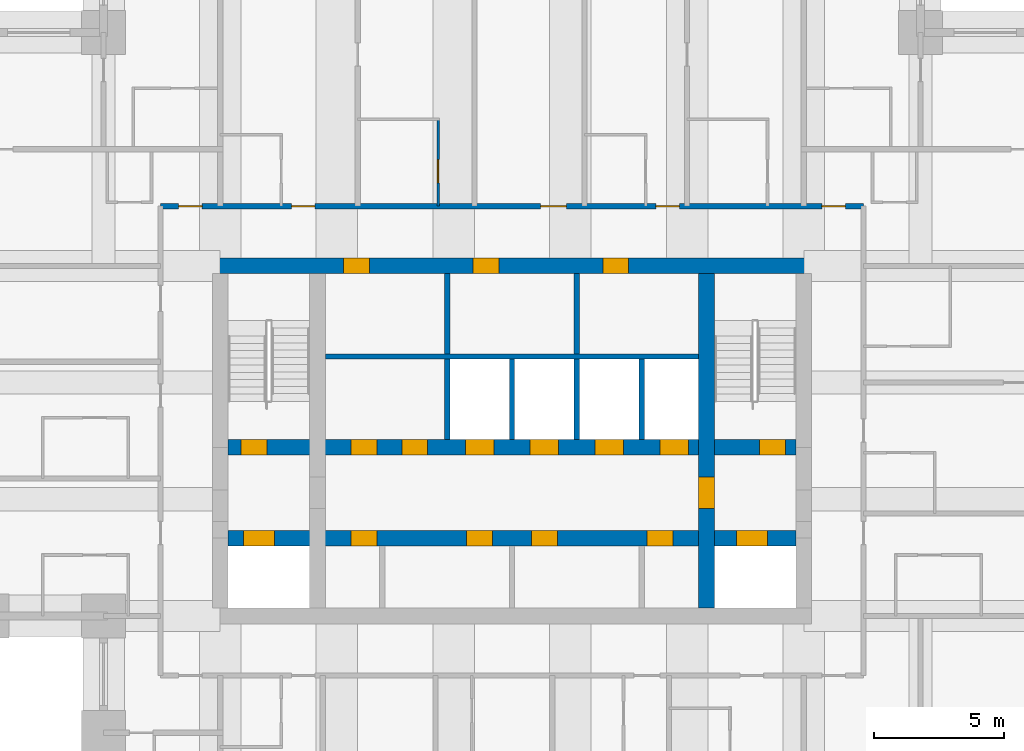
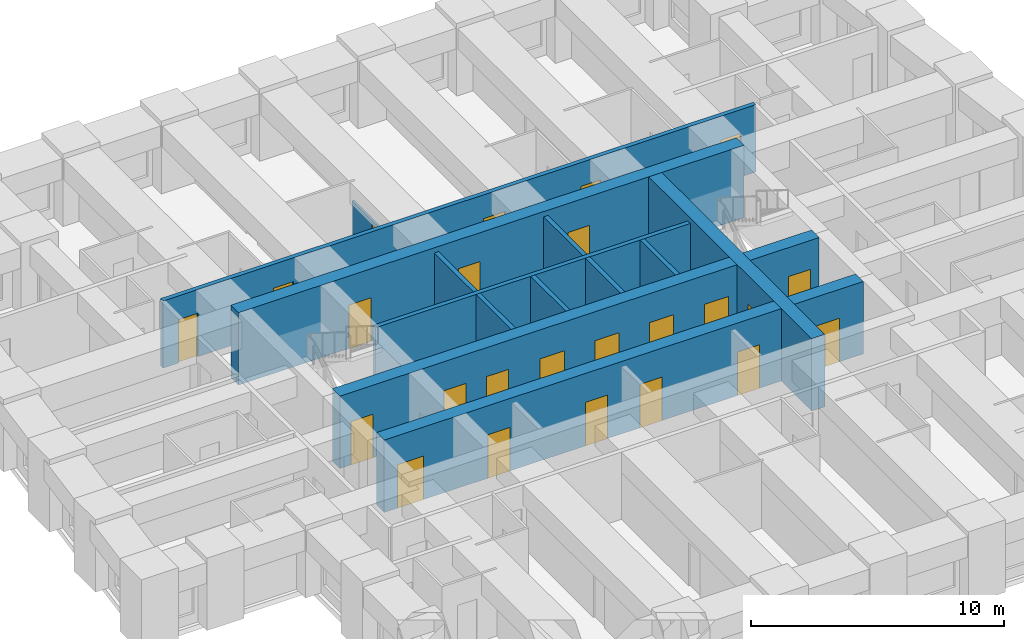
# One storey, part 4 of 8: 24 doors, 13 walls, 24 openings.
"""IFC4 building model written with IfcOpenShell, lengths in metres."""

from ifc_helpers import new_model, si_unit, direction, frame, frame_2d, origin, place, context, subcontext, project, spatial, rectangle, extrude, material, layer, layer_set, type_object, element, fill, save


model = new_model("IFC4")

# Units and contexts
model_context = context("Model", 3, precision=1e-05, world=origin(), true_north=direction((0.0, 1.0)))
body_context = subcontext(model_context, "Body", "Model", "MODEL_VIEW")
ifc_project = project(units=[si_unit("LENGTHUNIT", "METRE"), si_unit("AREAUNIT", "SQUARE_METRE"), si_unit("VOLUMEUNIT", "CUBIC_METRE"), si_unit("PLANEANGLEUNIT", "RADIAN"), si_unit("MASSUNIT", "GRAM", prefix="KILO")], contexts=[model_context])

# Site, building, storey
site_placement = place(None, origin())
site = spatial("IfcSite", under=ifc_project, at=site_placement, CompositionType="ELEMENT")
building_placement = place(site_placement, origin())
building = spatial("IfcBuilding", under=site, at=building_placement, Name="Kilele Tower Hotel", CompositionType="ELEMENT")
storey_placement = place(building_placement, frame((0.0, 0.0, 193.89990234375)))
storey = spatial("IfcBuildingStorey", under=building, at=storey_placement, Name="L50", CompositionType="ELEMENT", Elevation=193.89990234375)

# Wall, opening, door
ifc_material_1 = material(Name="Moisture-resistant board")
ifc_layer_1 = layer(ifc_material_1, 0.10009765625)
ifc_layer_set_1 = layer_set([ifc_layer_1], Name="Moisture-resistant board")
wall_type_1 = type_object("IfcWallType", Name="Bathroom partition 100", PredefinedType="PLUMBINGWALL", material=ifc_layer_set_1)
wall_1_placement = place(storey_placement, frame((21.89990234375, 29.300048828125, 0.0), z_axis=(0.0, 0.0, 1.0), x_axis=(0.0, 1.0, 0.0)))
wall_1 = element("IfcWall", 1, at=wall_1_placement, inside=storey, type_object=wall_type_1, Name="Bathroom partition 100 L50", PredefinedType="PLUMBINGWALL", context=body_context, shape_type="SweptSolid", body=[
    extrude(rectangle(XDim=3.39990234375, YDim=0.10009765625, at=frame_2d((1.699951171875, 0.0))), origin(), (0.0, 0.0, 1.0), 2.25),
])
opening_1_placement = place(wall_1_placement, frame((1.7998046875, 0.0, 0.0), z_axis=(0.0, 0.0, 1.0), x_axis=(-1.0, 0.0, 0.0)))
opening_1 = element("IfcOpeningElement", 2, at=opening_1_placement, cuts=wall_1, Name="Opening D2A", PredefinedType="OPENING", context=body_context, shape_type="SweptSolid", body=[
    extrude(rectangle(XDim=0.89990234375, YDim=2.10009765625, at=frame_2d((0.449951171875, 1.050048828125))), frame((0.0, 0.06005859375, 0.0), z_axis=(0.0, -1.0, 0.0), x_axis=(1.0, 0.0, 0.0)), (0.0, 0.0, 1.0), 0.1201171875),
])
ifc_material_2 = material(Name="Timber door leaf in hardwood frame", Category="wood")
door_type_1 = type_object("IfcDoorType", Name="Bathroom door 900", OperationType="SINGLE_SWING_LEFT", PredefinedType="DOOR", material=ifc_material_2)
door_1_placement = place(opening_1_placement, origin())
door_1 = element("IfcDoor", 3, at=door_1_placement, inside=storey, type_object=door_type_1, Name="Bathroom door 5010B", OperationType="SINGLE_SWING_RIGHT", OverallHeight=2.10009765625, OverallWidth=0.89990234375, PredefinedType="DOOR", context=body_context, shape_type="SweptSolid", body=[
    extrude(rectangle(XDim=0.89990234375, YDim=2.10009765625, at=frame_2d((0.449951171875, 1.050048828125))), frame((0.0, 0.02490234375, 0.0), z_axis=(0.0, -1.0, 0.0), x_axis=(1.0, 0.0, 0.0)), (0.0, 0.0, 1.0), 0.050048828125),
])
fill(opening_1, door_1)

# Wall, openings, doors
ifc_material_3 = material(Name="Concrete C70/85", Category="concrete")
ifc_layer_2 = layer(ifc_material_3, 0.60009765625)
ifc_layer_set_2 = layer_set([ifc_layer_2], Name="Concrete C70/85")
wall_type_2 = type_object("IfcWallType", Name="Core wall 600 C70/85", PredefinedType="SHEAR", material=ifc_layer_set_2)
wall_2_placement = place(storey_placement, frame((36.300048828125, 27.0, 0.0), z_axis=(0.0, 0.0, 1.0), x_axis=(-1.0, 0.0, 0.0)))
wall_2 = element("IfcWall", 4, at=wall_2_placement, inside=storey, type_object=wall_type_2, Name="Core wall N L50", PredefinedType="SHEAR", context=body_context, shape_type="SweptSolid", body=[
    extrude(rectangle(XDim=23.10009765625, YDim=0.60009765625, at=frame_2d((11.550048828125, 0.0))), origin(), (0.0, 0.0, 1.0), 3.5),
])
opening_2_placement = place(wall_2_placement, frame((17.050048828125, 0.0, 0.0)))
opening_2 = element("IfcOpeningElement", 5, at=opening_2_placement, cuts=wall_2, Name="Opening D6", PredefinedType="OPENING", context=body_context, shape_type="SweptSolid", body=[
    extrude(rectangle(XDim=1.0, YDim=2.10009765625, at=frame_2d((0.5, 1.050048828125))), frame((0.0, 0.31005859375, 0.0), z_axis=(0.0, -1.0, 0.0), x_axis=(1.0, 0.0, 0.0)), (0.0, 0.0, 1.0), 0.6201171875),
])
opening_3_placement = place(wall_2_placement, frame((12.050048828125, 0.0, 0.0)))
opening_3 = element("IfcOpeningElement", 6, at=opening_3_placement, cuts=wall_2, Name="Opening D6", PredefinedType="OPENING", context=body_context, shape_type="SweptSolid", body=[
    extrude(rectangle(XDim=1.0, YDim=2.10009765625, at=frame_2d((0.5, 1.050048828125))), frame((0.0, 0.31005859375, 0.0), z_axis=(0.0, -1.0, 0.0), x_axis=(1.0, 0.0, 0.0)), (0.0, 0.0, 1.0), 0.6201171875),
])
opening_4_placement = place(wall_2_placement, frame((7.050048828125, 0.0, 0.0)))
opening_4 = element("IfcOpeningElement", 7, at=opening_4_placement, cuts=wall_2, Name="Opening D6", PredefinedType="OPENING", context=body_context, shape_type="SweptSolid", body=[
    extrude(rectangle(XDim=1.0, YDim=2.10009765625, at=frame_2d((0.5, 1.050048828125))), frame((0.0, 0.31005859375, 0.0), z_axis=(0.0, -1.0, 0.0), x_axis=(1.0, 0.0, 0.0)), (0.0, 0.0, 1.0), 0.6201171875),
])
ifc_material_4 = material(Name="Timber door leaf in hardwood frame", Category="wood")
door_type_2 = type_object("IfcDoorType", Name="Riser door 1000", OperationType="SINGLE_SWING_LEFT", PredefinedType="DOOR", material=ifc_material_4)
door_2_placement = place(opening_2_placement, origin())
door_2 = element("IfcDoor", 8, at=door_2_placement, inside=storey, type_object=door_type_2, Name="Service riser door L50", OperationType="SINGLE_SWING_RIGHT", OverallHeight=2.10009765625, OverallWidth=1.0, PredefinedType="DOOR", context=body_context, shape_type="SweptSolid", body=[
    extrude(rectangle(XDim=1.0, YDim=2.10009765625, at=frame_2d((0.5, 1.050048828125))), frame((0.0, 0.2998046875, 0.0), z_axis=(0.0, -1.0, 0.0), x_axis=(1.0, 0.0, 0.0)), (0.0, 0.0, 1.0), 0.599609375),
])
fill(opening_2, door_2)
door_3_placement = place(opening_3_placement, origin())
door_3 = element("IfcDoor", 9, at=door_3_placement, inside=storey, type_object=door_type_2, Name="Staff WC door L50", OperationType="SINGLE_SWING_RIGHT", OverallHeight=2.10009765625, OverallWidth=1.0, PredefinedType="DOOR", context=body_context, shape_type="SweptSolid", body=[
    extrude(rectangle(XDim=1.0, YDim=2.10009765625, at=frame_2d((0.5, 1.050048828125))), frame((0.0, 0.2998046875, 0.0), z_axis=(0.0, -1.0, 0.0), x_axis=(1.0, 0.0, 0.0)), (0.0, 0.0, 1.0), 0.599609375),
])
fill(opening_3, door_3)
door_4_placement = place(opening_4_placement, origin())
door_4 = element("IfcDoor", 10, at=door_4_placement, inside=storey, type_object=door_type_2, Name="Electrical riser door L50", OperationType="SINGLE_SWING_RIGHT", OverallHeight=2.10009765625, OverallWidth=1.0, PredefinedType="DOOR", context=body_context, shape_type="SweptSolid", body=[
    extrude(rectangle(XDim=1.0, YDim=2.10009765625, at=frame_2d((0.5, 1.050048828125))), frame((0.0, 0.2998046875, 0.0), z_axis=(0.0, -1.0, 0.0), x_axis=(1.0, 0.0, 0.0)), (0.0, 0.0, 1.0), 0.599609375),
])
fill(opening_4, door_4)

# Wall, opening, door
wall_3_placement = place(storey_placement, frame((32.25, 13.800048828125, 0.0), z_axis=(0.0, 0.0, 1.0), x_axis=(0.0, 1.0, 0.0)))
wall_3 = element("IfcWall", 11, at=wall_3_placement, inside=storey, type_object=wall_type_2, Name="Core wall IE L50", PredefinedType="SHEAR", context=body_context, shape_type="SweptSolid", body=[
    extrude(rectangle(XDim=12.89990234375, YDim=0.60009765625, at=frame_2d((6.449951171875, 0.0))), origin(), (0.0, 0.0, 1.0), 3.5),
])
opening_5_placement = place(wall_3_placement, frame((5.050048828125, 0.0, 0.0), z_axis=(0.0, 0.0, 1.0), x_axis=(-1.0, 0.0, 0.0)))
opening_5 = element("IfcOpeningElement", 12, at=opening_5_placement, cuts=wall_3, Name="Opening D4", PredefinedType="OPENING", context=body_context, shape_type="SweptSolid", body=[
    extrude(rectangle(XDim=1.199951171875, YDim=2.10009765625, at=frame_2d((0.60009765625, 1.050048828125))), frame((0.0, 0.31005859375, 0.0), z_axis=(0.0, -1.0, 0.0), x_axis=(1.0, 0.0, 0.0)), (0.0, 0.0, 1.0), 0.6201171875),
])
ifc_material_5 = material(Name="Timber door leaf in hardwood frame", Category="wood")
door_type_3 = type_object("IfcDoorType", Name="Firefighting lobby door 1200", OperationType="SINGLE_SWING_LEFT", PredefinedType="DOOR", material=ifc_material_5)
door_5_placement = place(opening_5_placement, origin())
door_5 = element("IfcDoor", 13, at=door_5_placement, inside=storey, type_object=door_type_3, Name="Lobby door L50", OperationType="SINGLE_SWING_RIGHT", OverallHeight=2.10009765625, OverallWidth=1.199951171875, PredefinedType="DOOR", context=body_context, shape_type="SweptSolid", body=[
    extrude(rectangle(XDim=1.199951171875, YDim=2.10009765625, at=frame_2d((0.60009765625, 1.050048828125))), frame((0.0, 0.2998046875, 0.0), z_axis=(0.0, -1.0, 0.0), x_axis=(1.0, 0.0, 0.0)), (0.0, 0.0, 1.0), 0.599609375),
])
fill(opening_5, door_5)

# Wall, openings, doors
wall_4_placement = place(storey_placement, frame((13.800048828125, 16.5, 0.0), z_axis=(0.0, 0.0, 1.0), x_axis=(1.0, 0.0, 0.0)))
wall_4 = element("IfcWall", 14, at=wall_4_placement, inside=storey, type_object=wall_type_2, Name="Core wall LS L50", PredefinedType="SHEAR", context=body_context, shape_type="SweptSolid", body=[
    extrude(rectangle(XDim=21.89990234375, YDim=0.60009765625, at=frame_2d((10.949951171875, 0.0))), origin(), (0.0, 0.0, 1.0), 3.5),
])
opening_6_placement = place(wall_4_placement, frame((5.75, 0.0, 0.0), z_axis=(0.0, 0.0, 1.0), x_axis=(-1.0, 0.0, 0.0)))
opening_6 = element("IfcOpeningElement", 15, at=opening_6_placement, cuts=wall_4, Name="Opening D11", PredefinedType="OPENING", context=body_context, shape_type="SweptSolid", body=[
    extrude(rectangle(XDim=1.0, YDim=2.10009765625, at=frame_2d((0.5, 1.050048828125))), frame((0.0, 0.31005859375, 0.0), z_axis=(0.0, -1.0, 0.0), x_axis=(1.0, 0.0, 0.0)), (0.0, 0.0, 1.0), 0.6201171875),
])
opening_7_placement = place(wall_4_placement, frame((10.199951171875, 0.0, 0.0), z_axis=(0.0, 0.0, 1.0), x_axis=(-1.0, 0.0, 0.0)))
opening_7 = element("IfcOpeningElement", 16, at=opening_7_placement, cuts=wall_4, Name="Opening D11", PredefinedType="OPENING", context=body_context, shape_type="SweptSolid", body=[
    extrude(rectangle(XDim=1.0, YDim=2.10009765625, at=frame_2d((0.5, 1.050048828125))), frame((0.0, 0.31005859375, 0.0), z_axis=(0.0, -1.0, 0.0), x_axis=(1.0, 0.0, 0.0)), (0.0, 0.0, 1.0), 0.6201171875),
])
opening_8_placement = place(wall_4_placement, frame((12.699951171875, 0.0, 0.0), z_axis=(0.0, 0.0, 1.0), x_axis=(-1.0, 0.0, 0.0)))
opening_8 = element("IfcOpeningElement", 17, at=opening_8_placement, cuts=wall_4, Name="Opening D11", PredefinedType="OPENING", context=body_context, shape_type="SweptSolid", body=[
    extrude(rectangle(XDim=1.0, YDim=2.10009765625, at=frame_2d((0.5, 1.050048828125))), frame((0.0, 0.31005859375, 0.0), z_axis=(0.0, -1.0, 0.0), x_axis=(1.0, 0.0, 0.0)), (0.0, 0.0, 1.0), 0.6201171875),
])
opening_9_placement = place(wall_4_placement, frame((17.14990234375, 0.0, 0.0), z_axis=(0.0, 0.0, 1.0), x_axis=(-1.0, 0.0, 0.0)))
opening_9 = element("IfcOpeningElement", 18, at=opening_9_placement, cuts=wall_4, Name="Opening D11", PredefinedType="OPENING", context=body_context, shape_type="SweptSolid", body=[
    extrude(rectangle(XDim=1.0, YDim=2.10009765625, at=frame_2d((0.5, 1.050048828125))), frame((0.0, 0.31005859375, 0.0), z_axis=(0.0, -1.0, 0.0), x_axis=(1.0, 0.0, 0.0)), (0.0, 0.0, 1.0), 0.6201171875),
])
opening_10_placement = place(wall_4_placement, frame((0.60009765625, 0.0, 0.0)))
opening_10 = element("IfcOpeningElement", 19, at=opening_10_placement, cuts=wall_4, Name="Opening LD2", PredefinedType="OPENING", context=body_context, shape_type="SweptSolid", body=[
    extrude(rectangle(XDim=1.199951171875, YDim=2.10009765625, at=frame_2d((0.60009765625, 1.050048828125))), frame((0.0, 0.31005859375, 0.0), z_axis=(0.0, -1.0, 0.0), x_axis=(1.0, 0.0, 0.0)), (0.0, 0.0, 1.0), 0.6201171875),
])
opening_11_placement = place(wall_4_placement, frame((19.60009765625, 0.0, 0.0)))
opening_11 = element("IfcOpeningElement", 20, at=opening_11_placement, cuts=wall_4, Name="Opening LD2", PredefinedType="OPENING", context=body_context, shape_type="SweptSolid", body=[
    extrude(rectangle(XDim=1.199951171875, YDim=2.10009765625, at=frame_2d((0.60009765625, 1.050048828125))), frame((0.0, 0.31005859375, 0.0), z_axis=(0.0, -1.0, 0.0), x_axis=(1.0, 0.0, 0.0)), (0.0, 0.0, 1.0), 0.6201171875),
])
ifc_material_6 = material(Name="Timber door leaf in hardwood frame", Category="wood")
door_type_4 = type_object("IfcDoorType", Name="Core store door 1000", OperationType="SINGLE_SWING_LEFT", PredefinedType="DOOR", material=ifc_material_6)
door_6_placement = place(opening_6_placement, origin())
door_6 = element("IfcDoor", 21, at=door_6_placement, inside=storey, type_object=door_type_4, Name="Core room door L1 L50", OperationType="SINGLE_SWING_LEFT", OverallHeight=2.10009765625, OverallWidth=1.0, PredefinedType="DOOR", context=body_context, shape_type="SweptSolid", body=[
    extrude(rectangle(XDim=1.0, YDim=2.10009765625, at=frame_2d((0.5, 1.050048828125))), frame((0.0, 0.2998046875, 0.0), z_axis=(0.0, -1.0, 0.0), x_axis=(1.0, 0.0, 0.0)), (0.0, 0.0, 1.0), 0.599609375),
])
fill(opening_6, door_6)
door_7_placement = place(opening_7_placement, origin())
door_7 = element("IfcDoor", 22, at=door_7_placement, inside=storey, type_object=door_type_4, Name="Core room door L3 L50", OperationType="SINGLE_SWING_LEFT", OverallHeight=2.10009765625, OverallWidth=1.0, PredefinedType="DOOR", context=body_context, shape_type="SweptSolid", body=[
    extrude(rectangle(XDim=1.0, YDim=2.10009765625, at=frame_2d((0.5, 1.050048828125))), frame((0.0, 0.2998046875, 0.0), z_axis=(0.0, -1.0, 0.0), x_axis=(1.0, 0.0, 0.0)), (0.0, 0.0, 1.0), 0.599609375),
])
fill(opening_7, door_7)
door_8_placement = place(opening_8_placement, origin())
door_8 = element("IfcDoor", 23, at=door_8_placement, inside=storey, type_object=door_type_4, Name="Core room door M1 L50", OperationType="SINGLE_SWING_RIGHT", OverallHeight=2.10009765625, OverallWidth=1.0, PredefinedType="DOOR", context=body_context, shape_type="SweptSolid", body=[
    extrude(rectangle(XDim=1.0, YDim=2.10009765625, at=frame_2d((0.5, 1.050048828125))), frame((0.0, 0.2998046875, 0.0), z_axis=(0.0, -1.0, 0.0), x_axis=(1.0, 0.0, 0.0)), (0.0, 0.0, 1.0), 0.599609375),
])
fill(opening_8, door_8)
door_9_placement = place(opening_9_placement, origin())
door_9 = element("IfcDoor", 24, at=door_9_placement, inside=storey, type_object=door_type_4, Name="Core room door M3 L50", OperationType="SINGLE_SWING_RIGHT", OverallHeight=2.10009765625, OverallWidth=1.0, PredefinedType="DOOR", context=body_context, shape_type="SweptSolid", body=[
    extrude(rectangle(XDim=1.0, YDim=2.10009765625, at=frame_2d((0.5, 1.050048828125))), frame((0.0, 0.2998046875, 0.0), z_axis=(0.0, -1.0, 0.0), x_axis=(1.0, 0.0, 0.0)), (0.0, 0.0, 1.0), 0.599609375),
])
fill(opening_9, door_9)
ifc_material_7 = material(Name="Steel lift landing door", Category="steel")
door_type_5 = type_object("IfcDoorType", Name="Firefighting lift landing door 1200", OperationType="SLIDING_TO_LEFT", PredefinedType="DOOR", material=ifc_material_7)
door_10_placement = place(opening_10_placement, origin())
door_10 = element("IfcDoor", 25, at=door_10_placement, inside=storey, type_object=door_type_5, Name="Landing door FFW L50", OperationType="SLIDING_TO_LEFT", OverallHeight=2.10009765625, OverallWidth=1.199951171875, PredefinedType="DOOR", context=body_context, shape_type="SweptSolid", body=[
    extrude(rectangle(XDim=1.199951171875, YDim=2.10009765625, at=frame_2d((0.60009765625, 1.050048828125))), frame((0.0, 0.2998046875, 0.0), z_axis=(0.0, -1.0, 0.0), x_axis=(1.0, 0.0, 0.0)), (0.0, 0.0, 1.0), 0.599609375),
])
fill(opening_10, door_10)
door_11_placement = place(opening_11_placement, origin())
door_11 = element("IfcDoor", 26, at=door_11_placement, inside=storey, type_object=door_type_5, Name="Landing door FFE L50", OperationType="SLIDING_TO_LEFT", OverallHeight=2.10009765625, OverallWidth=1.199951171875, PredefinedType="DOOR", context=body_context, shape_type="SweptSolid", body=[
    extrude(rectangle(XDim=1.199951171875, YDim=2.10009765625, at=frame_2d((0.60009765625, 1.050048828125))), frame((0.0, 0.2998046875, 0.0), z_axis=(0.0, -1.0, 0.0), x_axis=(1.0, 0.0, 0.0)), (0.0, 0.0, 1.0), 0.599609375),
])
fill(opening_11, door_11)

wall_5_placement = place(storey_placement, frame((13.800048828125, 20.0, 0.0), z_axis=(0.0, 0.0, 1.0), x_axis=(1.0, 0.0, 0.0)))
wall_5 = element("IfcWall", 27, at=wall_5_placement, inside=storey, type_object=wall_type_2, Name="Core wall LN L50", PredefinedType="SHEAR", context=body_context, shape_type="SweptSolid", body=[
    extrude(rectangle(XDim=21.89990234375, YDim=0.60009765625, at=frame_2d((10.949951171875, 0.0))), origin(), (0.0, 0.0, 1.0), 3.5),
])
opening_12_placement = place(wall_5_placement, frame((0.5, 0.0, 0.0)))
opening_12 = element("IfcOpeningElement", 28, at=opening_12_placement, cuts=wall_5, Name="Opening D5", PredefinedType="OPENING", context=body_context, shape_type="SweptSolid", body=[
    extrude(rectangle(XDim=1.0, YDim=2.10009765625, at=frame_2d((0.5, 1.050048828125))), frame((0.0, 0.31005859375, 0.0), z_axis=(0.0, -1.0, 0.0), x_axis=(1.0, 0.0, 0.0)), (0.0, 0.0, 1.0), 0.6201171875),
])
opening_13_placement = place(wall_5_placement, frame((20.5, 0.0, 0.0)))
opening_13 = element("IfcOpeningElement", 29, at=opening_13_placement, cuts=wall_5, Name="Opening D5", PredefinedType="OPENING", context=body_context, shape_type="SweptSolid", body=[
    extrude(rectangle(XDim=1.0, YDim=2.10009765625, at=frame_2d((0.5, 1.050048828125))), frame((0.0, 0.31005859375, 0.0), z_axis=(0.0, -1.0, 0.0), x_axis=(1.0, 0.0, 0.0)), (0.0, 0.0, 1.0), 0.6201171875),
])
opening_14_placement = place(wall_5_placement, frame((9.14990234375, 0.0, 0.0)))
opening_14 = element("IfcOpeningElement", 30, at=opening_14_placement, cuts=wall_5, Name="Opening LD1", PredefinedType="OPENING", context=body_context, shape_type="SweptSolid", body=[
    extrude(rectangle(XDim=1.10009765625, YDim=2.10009765625, at=frame_2d((0.550048828125, 1.050048828125))), frame((0.0, 0.31005859375, 0.0), z_axis=(0.0, -1.0, 0.0), x_axis=(1.0, 0.0, 0.0)), (0.0, 0.0, 1.0), 0.6201171875),
])
opening_15_placement = place(wall_5_placement, frame((11.64990234375, 0.0, 0.0)))
opening_15 = element("IfcOpeningElement", 31, at=opening_15_placement, cuts=wall_5, Name="Opening LD1", PredefinedType="OPENING", context=body_context, shape_type="SweptSolid", body=[
    extrude(rectangle(XDim=1.10009765625, YDim=2.10009765625, at=frame_2d((0.550048828125, 1.050048828125))), frame((0.0, 0.31005859375, 0.0), z_axis=(0.0, -1.0, 0.0), x_axis=(1.0, 0.0, 0.0)), (0.0, 0.0, 1.0), 0.6201171875),
])
opening_16_placement = place(wall_5_placement, frame((14.14990234375, 0.0, 0.0)))
opening_16 = element("IfcOpeningElement", 32, at=opening_16_placement, cuts=wall_5, Name="Opening LD1", PredefinedType="OPENING", context=body_context, shape_type="SweptSolid", body=[
    extrude(rectangle(XDim=1.10009765625, YDim=2.10009765625, at=frame_2d((0.550048828125, 1.050048828125))), frame((0.0, 0.31005859375, 0.0), z_axis=(0.0, -1.0, 0.0), x_axis=(1.0, 0.0, 0.0)), (0.0, 0.0, 1.0), 0.6201171875),
])
opening_17_placement = place(wall_5_placement, frame((16.64990234375, 0.0, 0.0)))
opening_17 = element("IfcOpeningElement", 33, at=opening_17_placement, cuts=wall_5, Name="Opening LD1", PredefinedType="OPENING", context=body_context, shape_type="SweptSolid", body=[
    extrude(rectangle(XDim=1.10009765625, YDim=2.10009765625, at=frame_2d((0.550048828125, 1.050048828125))), frame((0.0, 0.31005859375, 0.0), z_axis=(0.0, -1.0, 0.0), x_axis=(1.0, 0.0, 0.0)), (0.0, 0.0, 1.0), 0.6201171875),
])
opening_18_placement = place(wall_5_placement, frame((4.75, 0.0, 0.0)))
opening_18 = element("IfcOpeningElement", 34, at=opening_18_placement, cuts=wall_5, Name="Opening D11", PredefinedType="OPENING", context=body_context, shape_type="SweptSolid", body=[
    extrude(rectangle(XDim=1.0, YDim=2.10009765625, at=frame_2d((0.5, 1.050048828125))), frame((0.0, 0.31005859375, 0.0), z_axis=(0.0, -1.0, 0.0), x_axis=(1.0, 0.0, 0.0)), (0.0, 0.0, 1.0), 0.6201171875),
])
opening_19_placement = place(wall_5_placement, frame((6.699951171875, 0.0, 0.0)))
opening_19 = element("IfcOpeningElement", 35, at=opening_19_placement, cuts=wall_5, Name="Opening D11", PredefinedType="OPENING", context=body_context, shape_type="SweptSolid", body=[
    extrude(rectangle(XDim=1.0, YDim=2.10009765625, at=frame_2d((0.5, 1.050048828125))), frame((0.0, 0.31005859375, 0.0), z_axis=(0.0, -1.0, 0.0), x_axis=(1.0, 0.0, 0.0)), (0.0, 0.0, 1.0), 0.6201171875),
])
door_12_placement = place(opening_18_placement, origin())
door_12 = element("IfcDoor", 36, at=door_12_placement, inside=storey, type_object=door_type_4, Name="Core room door S1 L50", OperationType="SINGLE_SWING_LEFT", OverallHeight=2.10009765625, OverallWidth=1.0, PredefinedType="DOOR", context=body_context, shape_type="SweptSolid", body=[
    extrude(rectangle(XDim=1.0, YDim=2.10009765625, at=frame_2d((0.5, 1.050048828125))), frame((0.0, 0.2998046875, 0.0), z_axis=(0.0, -1.0, 0.0), x_axis=(1.0, 0.0, 0.0)), (0.0, 0.0, 1.0), 0.599609375),
])
fill(opening_18, door_12)
door_13_placement = place(opening_19_placement, origin())
door_13 = element("IfcDoor", 37, at=door_13_placement, inside=storey, type_object=door_type_4, Name="Core room door S2 L50", OperationType="SINGLE_SWING_RIGHT", OverallHeight=2.10009765625, OverallWidth=1.0, PredefinedType="DOOR", context=body_context, shape_type="SweptSolid", body=[
    extrude(rectangle(XDim=1.0, YDim=2.10009765625, at=frame_2d((0.5, 1.050048828125))), frame((0.0, 0.2998046875, 0.0), z_axis=(0.0, -1.0, 0.0), x_axis=(1.0, 0.0, 0.0)), (0.0, 0.0, 1.0), 0.599609375),
])
fill(opening_19, door_13)
ifc_material_8 = material(Name="Steel lift landing door", Category="steel")
door_type_6 = type_object("IfcDoorType", Name="Lift landing door 1100", OperationType="SLIDING_TO_LEFT", PredefinedType="DOOR", material=ifc_material_8)
door_14_placement = place(opening_14_placement, origin())
door_14 = element("IfcDoor", 38, at=door_14_placement, inside=storey, type_object=door_type_6, Name="Landing door H1 L50", OperationType="SLIDING_TO_LEFT", OverallHeight=2.10009765625, OverallWidth=1.10009765625, PredefinedType="DOOR", context=body_context, shape_type="SweptSolid", body=[
    extrude(rectangle(XDim=1.10009765625, YDim=2.10009765625, at=frame_2d((0.550048828125, 1.050048828125))), frame((0.0, 0.2998046875, 0.0), z_axis=(0.0, -1.0, 0.0), x_axis=(1.0, 0.0, 0.0)), (0.0, 0.0, 1.0), 0.599609375),
])
fill(opening_14, door_14)
door_15_placement = place(opening_15_placement, origin())
door_15 = element("IfcDoor", 39, at=door_15_placement, inside=storey, type_object=door_type_6, Name="Landing door H2 L50", OperationType="SLIDING_TO_LEFT", OverallHeight=2.10009765625, OverallWidth=1.10009765625, PredefinedType="DOOR", context=body_context, shape_type="SweptSolid", body=[
    extrude(rectangle(XDim=1.10009765625, YDim=2.10009765625, at=frame_2d((0.550048828125, 1.050048828125))), frame((0.0, 0.2998046875, 0.0), z_axis=(0.0, -1.0, 0.0), x_axis=(1.0, 0.0, 0.0)), (0.0, 0.0, 1.0), 0.599609375),
])
fill(opening_15, door_15)
door_16_placement = place(opening_16_placement, origin())
door_16 = element("IfcDoor", 40, at=door_16_placement, inside=storey, type_object=door_type_6, Name="Landing door H3 L50", OperationType="SLIDING_TO_LEFT", OverallHeight=2.10009765625, OverallWidth=1.10009765625, PredefinedType="DOOR", context=body_context, shape_type="SweptSolid", body=[
    extrude(rectangle(XDim=1.10009765625, YDim=2.10009765625, at=frame_2d((0.550048828125, 1.050048828125))), frame((0.0, 0.2998046875, 0.0), z_axis=(0.0, -1.0, 0.0), x_axis=(1.0, 0.0, 0.0)), (0.0, 0.0, 1.0), 0.599609375),
])
fill(opening_16, door_16)
door_17_placement = place(opening_17_placement, origin())
door_17 = element("IfcDoor", 41, at=door_17_placement, inside=storey, type_object=door_type_6, Name="Landing door G1 L50", OperationType="SLIDING_TO_LEFT", OverallHeight=2.10009765625, OverallWidth=1.10009765625, PredefinedType="DOOR", context=body_context, shape_type="SweptSolid", body=[
    extrude(rectangle(XDim=1.10009765625, YDim=2.10009765625, at=frame_2d((0.550048828125, 1.050048828125))), frame((0.0, 0.2998046875, 0.0), z_axis=(0.0, -1.0, 0.0), x_axis=(1.0, 0.0, 0.0)), (0.0, 0.0, 1.0), 0.599609375),
])
fill(opening_17, door_17)
ifc_material_9 = material(Name="Timber door leaf in hardwood frame", Category="wood")
door_type_7 = type_object("IfcDoorType", Name="Stair door 1000", OperationType="SINGLE_SWING_LEFT", PredefinedType="DOOR", material=ifc_material_9)
door_18_placement = place(opening_12_placement, origin())
door_18 = element("IfcDoor", 42, at=door_18_placement, inside=storey, type_object=door_type_7, Name="Stair 1 door L50", OperationType="SINGLE_SWING_LEFT", OverallHeight=2.10009765625, OverallWidth=1.0, PredefinedType="DOOR", context=body_context, shape_type="SweptSolid", body=[
    extrude(rectangle(XDim=1.0, YDim=2.10009765625, at=frame_2d((0.5, 1.050048828125))), frame((0.0, 0.2998046875, 0.0), z_axis=(0.0, -1.0, 0.0), x_axis=(1.0, 0.0, 0.0)), (0.0, 0.0, 1.0), 0.599609375),
])
fill(opening_12, door_18)
door_19_placement = place(opening_13_placement, origin())
door_19 = element("IfcDoor", 43, at=door_19_placement, inside=storey, type_object=door_type_7, Name="Stair 2 door L50", OperationType="SINGLE_SWING_RIGHT", OverallHeight=2.10009765625, OverallWidth=1.0, PredefinedType="DOOR", context=body_context, shape_type="SweptSolid", body=[
    extrude(rectangle(XDim=1.0, YDim=2.10009765625, at=frame_2d((0.5, 1.050048828125))), frame((0.0, 0.2998046875, 0.0), z_axis=(0.0, -1.0, 0.0), x_axis=(1.0, 0.0, 0.0)), (0.0, 0.0, 1.0), 0.599609375),
])
fill(opening_13, door_19)

ifc_material_10 = material(Name="Blockwork, plastered both sides", Category="masonry")
ifc_layer_3 = layer(ifc_material_10, 0.199951171875)
ifc_layer_set_3 = layer_set([ifc_layer_3], Name="Blockwork, plastered both sides")
wall_type_3 = type_object("IfcWallType", Name="Corridor wall 200", PredefinedType="PARTITIONING", material=ifc_layer_set_3)
wall_6_placement = place(storey_placement, frame((11.199951171875, 29.300048828125, 0.0), z_axis=(0.0, 0.0, 1.0), x_axis=(1.0, 0.0, 0.0)))
wall_6 = element("IfcWall", 44, at=wall_6_placement, inside=storey, type_object=wall_type_3, Name="Corridor wall 200 L50", PredefinedType="PARTITIONING", context=body_context, shape_type="SweptSolid", body=[
    extrude(rectangle(XDim=27.10009765625, YDim=0.199951171875, at=frame_2d((13.550048828125, 0.0))), origin(), (0.0, 0.0, 1.0), 3.25),
])
opening_20_placement = place(wall_6_placement, frame((5.050048828125, 0.0, 0.0)))
opening_20 = element("IfcOpeningElement", 45, at=opening_20_placement, cuts=wall_6, Name="Opening D1", PredefinedType="OPENING", context=body_context, shape_type="SweptSolid", body=[
    extrude(rectangle(XDim=0.89990234375, YDim=2.10009765625, at=frame_2d((0.449951171875, 1.050048828125))), frame((0.0, 0.10986328125, 0.0), z_axis=(0.0, -1.0, 0.0), x_axis=(1.0, 0.0, 0.0)), (0.0, 0.0, 1.0), 0.219970703125),
])
opening_21_placement = place(wall_6_placement, frame((14.64990234375, 0.0, 0.0)))
opening_21 = element("IfcOpeningElement", 46, at=opening_21_placement, cuts=wall_6, Name="Opening D8", PredefinedType="OPENING", context=body_context, shape_type="SweptSolid", body=[
    extrude(rectangle(XDim=1.0, YDim=2.10009765625, at=frame_2d((0.5, 1.050048828125))), frame((0.0, 0.10986328125, 0.0), z_axis=(0.0, -1.0, 0.0), x_axis=(1.0, 0.0, 0.0)), (0.0, 0.0, 1.0), 0.219970703125),
])
opening_22_placement = place(wall_6_placement, frame((19.10009765625, 0.0, 0.0)))
opening_22 = element("IfcOpeningElement", 47, at=opening_22_placement, cuts=wall_6, Name="Opening D1", PredefinedType="OPENING", context=body_context, shape_type="SweptSolid", body=[
    extrude(rectangle(XDim=0.89990234375, YDim=2.10009765625, at=frame_2d((0.449951171875, 1.050048828125))), frame((0.0, 0.10986328125, 0.0), z_axis=(0.0, -1.0, 0.0), x_axis=(1.0, 0.0, 0.0)), (0.0, 0.0, 1.0), 0.219970703125),
])
opening_23_placement = place(wall_6_placement, frame((25.5, 0.0, 0.0)))
opening_23 = element("IfcOpeningElement", 48, at=opening_23_placement, cuts=wall_6, Name="Opening D1", PredefinedType="OPENING", context=body_context, shape_type="SweptSolid", body=[
    extrude(rectangle(XDim=0.89990234375, YDim=2.10009765625, at=frame_2d((0.449951171875, 1.050048828125))), frame((0.0, 0.10986328125, 0.0), z_axis=(0.0, -1.0, 0.0), x_axis=(1.0, 0.0, 0.0)), (0.0, 0.0, 1.0), 0.219970703125),
])
opening_24_placement = place(wall_6_placement, frame((0.699951171875, 0.0, 0.0)))
opening_24 = element("IfcOpeningElement", 49, at=opening_24_placement, cuts=wall_6, Name="Opening D1", PredefinedType="OPENING", context=body_context, shape_type="SweptSolid", body=[
    extrude(rectangle(XDim=0.89990234375, YDim=2.10009765625, at=frame_2d((0.449951171875, 1.050048828125))), frame((0.0, 0.10986328125, 0.0), z_axis=(0.0, -1.0, 0.0), x_axis=(1.0, 0.0, 0.0)), (0.0, 0.0, 1.0), 0.219970703125),
])
ifc_material_11 = material(Name="Timber door leaf in hardwood frame", Category="wood")
door_type_8 = type_object("IfcDoorType", Name="Door 1000", OperationType="SINGLE_SWING_LEFT", PredefinedType="DOOR", material=ifc_material_11)
door_20_placement = place(opening_21_placement, origin())
door_20 = element("IfcDoor", 50, at=door_20_placement, inside=storey, type_object=door_type_8, Name="Room entrance 5011", OperationType="SINGLE_SWING_RIGHT", OverallHeight=2.10009765625, OverallWidth=1.0, PredefinedType="DOOR", context=body_context, shape_type="SweptSolid", body=[
    extrude(rectangle(XDim=1.0, YDim=2.10009765625, at=frame_2d((0.5, 1.050048828125))), frame((0.0, 0.02490234375, 0.0), z_axis=(0.0, -1.0, 0.0), x_axis=(1.0, 0.0, 0.0)), (0.0, 0.0, 1.0), 0.050048828125),
])
fill(opening_21, door_20)
ifc_material_12 = material(Name="Timber door leaf in hardwood frame", Category="wood")
door_type_9 = type_object("IfcDoorType", Name="Guest room entrance door 900", OperationType="SINGLE_SWING_LEFT", PredefinedType="DOOR", material=ifc_material_12)
door_21_placement = place(opening_20_placement, origin())
door_21 = element("IfcDoor", 51, at=door_21_placement, inside=storey, type_object=door_type_9, Name="Room entrance 5009", OperationType="SINGLE_SWING_LEFT", OverallHeight=2.10009765625, OverallWidth=0.89990234375, PredefinedType="DOOR", context=body_context, shape_type="SweptSolid", body=[
    extrude(rectangle(XDim=0.89990234375, YDim=2.10009765625, at=frame_2d((0.449951171875, 1.050048828125))), frame((0.0, 0.02490234375, 0.0), z_axis=(0.0, -1.0, 0.0), x_axis=(1.0, 0.0, 0.0)), (0.0, 0.0, 1.0), 0.050048828125),
])
fill(opening_20, door_21)
door_22_placement = place(opening_22_placement, origin())
door_22 = element("IfcDoor", 52, at=door_22_placement, inside=storey, type_object=door_type_9, Name="Room entrance 5012", OperationType="SINGLE_SWING_RIGHT", OverallHeight=2.10009765625, OverallWidth=0.89990234375, PredefinedType="DOOR", context=body_context, shape_type="SweptSolid", body=[
    extrude(rectangle(XDim=0.89990234375, YDim=2.10009765625, at=frame_2d((0.449951171875, 1.050048828125))), frame((0.0, 0.02490234375, 0.0), z_axis=(0.0, -1.0, 0.0), x_axis=(1.0, 0.0, 0.0)), (0.0, 0.0, 1.0), 0.050048828125),
])
fill(opening_22, door_22)
door_23_placement = place(opening_23_placement, origin())
door_23 = element("IfcDoor", 53, at=door_23_placement, inside=storey, type_object=door_type_9, Name="Room entrance 5022", OperationType="SINGLE_SWING_LEFT", OverallHeight=2.10009765625, OverallWidth=0.89990234375, PredefinedType="DOOR", context=body_context, shape_type="SweptSolid", body=[
    extrude(rectangle(XDim=0.89990234375, YDim=2.10009765625, at=frame_2d((0.449951171875, 1.050048828125))), frame((0.0, 0.02490234375, 0.0), z_axis=(0.0, -1.0, 0.0), x_axis=(1.0, 0.0, 0.0)), (0.0, 0.0, 1.0), 0.050048828125),
])
fill(opening_23, door_23)
door_24_placement = place(opening_24_placement, origin())
door_24 = element("IfcDoor", 54, at=door_24_placement, inside=storey, type_object=door_type_9, Name="Room entrance 5025", OperationType="SINGLE_SWING_RIGHT", OverallHeight=2.10009765625, OverallWidth=0.89990234375, PredefinedType="DOOR", context=body_context, shape_type="SweptSolid", body=[
    extrude(rectangle(XDim=0.89990234375, YDim=2.10009765625, at=frame_2d((0.449951171875, 1.050048828125))), frame((0.0, 0.02490234375, 0.0), z_axis=(0.0, -1.0, 0.0), x_axis=(1.0, 0.0, 0.0)), (0.0, 0.0, 1.0), 0.050048828125),
])
fill(opening_24, door_24)

# Walls
ifc_material_13 = material(Name="Blockwork, fire-rated", Category="masonry")
ifc_layer_4 = layer(ifc_material_13, 0.199951171875)
ifc_layer_set_4 = layer_set([ifc_layer_4], Name="Blockwork, fire-rated")
wall_type_4 = type_object("IfcWallType", Name="Shaft wall 200", PredefinedType="PARTITIONING", material=ifc_layer_set_4)
for number, where, z_axis, x_axis, name in (
    (55, (22.25, 20.300048828125, 0.0), (0.0, 0.0, 1.0), (0.0, 1.0, 0.0), "Shaft wall 200 L50"),
    (56, (24.75, 20.300048828125, 0.0), (0.0, 0.0, 1.0), (0.0, 1.0, 0.0), "Shaft wall 200 L50"),
    (57, (27.25, 20.300048828125, 0.0), (0.0, 0.0, 1.0), (0.0, 1.0, 0.0), "Shaft wall 200 L50"),
    (58, (29.75, 20.300048828125, 0.0), (0.0, 0.0, 1.0), (0.0, 1.0, 0.0), "Shaft wall 200 L50"),
):
    element("IfcWall", number, at=place(storey_placement, frame(where, z_axis=z_axis, x_axis=x_axis)), inside=storey, type_object=wall_type_4, Name=name, PredefinedType="PARTITIONING", context=body_context, shape_type="SweptSolid", body=[
        extrude(rectangle(XDim=3.099853515625, YDim=0.199951171875, at=frame_2d((1.5498046875, 0.0))), origin(), (0.0, 0.0, 1.0), 3.25),
    ])
wall_7_placement = place(storey_placement, frame((17.550048828125, 23.5, 0.0), z_axis=(0.0, 0.0, 1.0), x_axis=(1.0, 0.0, 0.0)))
element("IfcWall", 59, at=wall_7_placement, inside=storey, type_object=wall_type_4, Name="Shaft wall 200 L50", PredefinedType="PARTITIONING", context=body_context, shape_type="SweptSolid", body=[
    extrude(rectangle(XDim=14.39990234375, YDim=0.199951171875, at=frame_2d((7.199951171875, 0.0))), origin(), (0.0, 0.0, 1.0), 3.25),
])
for number, where, z_axis, x_axis, name in (
    (60, (22.25, 23.60009765625, 0.0), (0.0, 0.0, 1.0), (0.0, 1.0, 0.0), "Shaft wall 200 L50"),
    (61, (27.25, 23.60009765625, 0.0), (0.0, 0.0, 1.0), (0.0, 1.0, 0.0), "Shaft wall 200 L50"),
):
    element("IfcWall", number, at=place(storey_placement, frame(where, z_axis=z_axis, x_axis=x_axis)), inside=storey, type_object=wall_type_4, Name=name, PredefinedType="PARTITIONING", context=body_context, shape_type="SweptSolid", body=[
        extrude(rectangle(XDim=3.099853515625, YDim=0.199951171875, at=frame_2d((1.5498046875, 0.0))), origin(), (0.0, 0.0, 1.0), 3.25),
    ])

save(model, "model.ifc")
